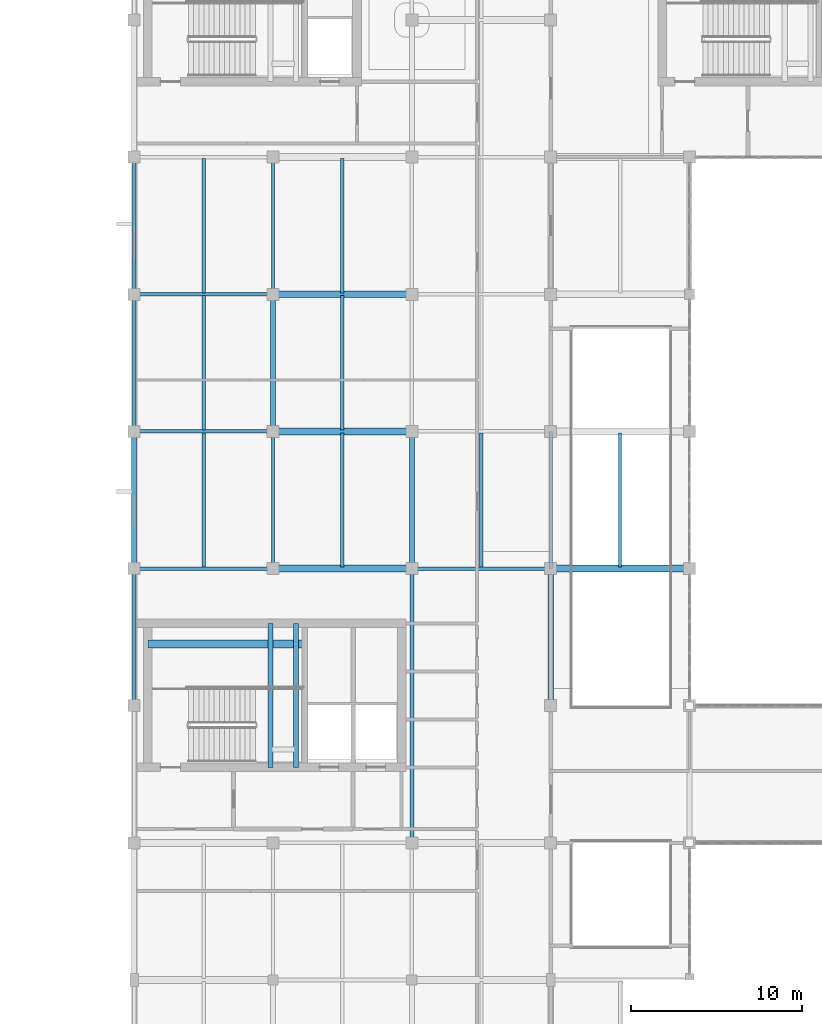
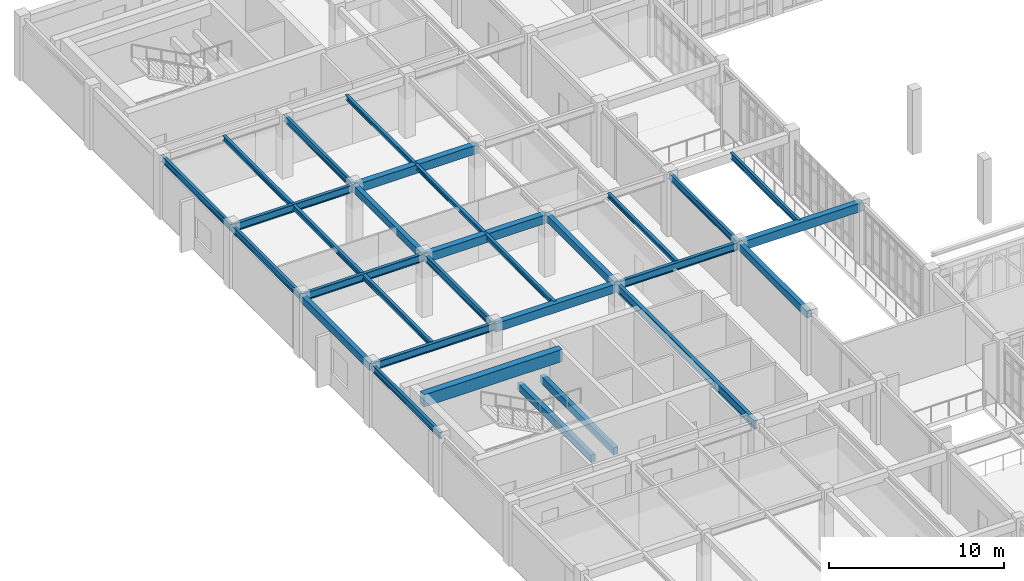
# One storey, part 10 of 67: 30 beams.
"""IFC4 building model written with IfcOpenShell, lengths in metres."""

from ifc_helpers import new_model, si_unit, direction, frame, origin, origin_2d, place, context, subcontext, project, spatial, rectangle, i_section, extrude, material, material_profile, profile_set, type_object, element, save


model = new_model("IFC4")

# Units and contexts
model_context = context("Model", 3, precision=1e-05, world=origin(), true_north=direction((0.0, 1.0)))
body_context = subcontext(model_context, "Body", "Model", "MODEL_VIEW")
ifc_project = project(units=[si_unit("LENGTHUNIT", "METRE"), si_unit("AREAUNIT", "SQUARE_METRE"), si_unit("VOLUMEUNIT", "CUBIC_METRE"), si_unit("PLANEANGLEUNIT", "RADIAN"), si_unit("MASSUNIT", "GRAM", prefix="KILO")], contexts=[model_context])

# Site, building, storey
site_placement = place(None, origin())
site = spatial("IfcSite", under=ifc_project, at=site_placement, CompositionType="ELEMENT")
building_placement = place(site_placement, origin())
building = spatial("IfcBuilding", under=site, at=building_placement, Name="Tarnveldt Square Police Headquarters", CompositionType="ELEMENT")
storey_placement = place(building_placement, frame((0.0, 0.0, 10.199951171875)))
storey = spatial("IfcBuildingStorey", under=building, at=storey_placement, Name="L02", CompositionType="ELEMENT", Elevation=10.199951171875)

# Beams
ifc_material_1 = material(Name="Concrete 50 MPa", Category="concrete")
ifc_material_profile_1 = material_profile(ifc_material_1, rectangle(XDim=0.449951171875, YDim=0.85009765625, at=origin_2d()), Name="RC-CB450x850")
ifc_profile_set_1 = profile_set([ifc_material_profile_1], Name="Concrete 50 MPa")
beam_type_1 = type_object("IfcBeamType", Name="BM-CB450x850", PredefinedType="BEAM", material=ifc_profile_set_1)
beam_1_placement = place(storey_placement, frame((17.0, 67.60009765625, 4.074951171875), z_axis=(1.0, 0.0, 0.0), x_axis=(0.0, 1.0, 0.0)))
element("IfcBeam", 1, at=beam_1_placement, inside=storey, type_object=beam_type_1, Name="Core K1 South-West Command and Firefighting Core L02 Ductile Coupling Beam", PredefinedType="BEAM", context=body_context, shape_type="SweptSolid", body=[
    extrude(rectangle(XDim=0.449951171875, YDim=0.85009765625, at=origin_2d()), origin(), (0.0, 0.0, 1.0), 9.14990234375),
])
ifc_material_2 = material(Name="Concrete 40 MPa", Category="concrete")
ifc_material_profile_2 = material_profile(ifc_material_2, rectangle(XDim=0.300048828125, YDim=0.5, at=origin_2d()), Name="RC-B300x500")
ifc_profile_set_2 = profile_set([ifc_material_profile_2], Name="Concrete 40 MPa")
beam_type_2 = type_object("IfcBeamType", Name="BM-RC300x500", PredefinedType="BEAM", material=ifc_profile_set_2)
for number, where, z_axis, x_axis, name in (
    (2, (24.14990234375, 60.39990234375, 1.800048828125), (0.0, 1.0, 0.0), (-1.0, 0.0, 0.0), "ST1 L02 Half-Landing Support Beam 1"),
    (3, (25.64990234375, 60.39990234375, 1.800048828125), (0.0, 1.0, 0.0), (-1.0, 0.0, 0.0), "ST1 L02 Half-Landing Transverse Support Beam"),
):
    element("IfcBeam", number, at=place(storey_placement, frame(where, z_axis=z_axis, x_axis=x_axis)), inside=storey, type_object=beam_type_2, Name=name, PredefinedType="BEAM", context=body_context, shape_type="SweptSolid", body=[
        extrude(rectangle(XDim=0.300048828125, YDim=0.5, at=origin_2d()), origin(), (0.0, 0.0, 1.0), 8.400146484375),
    ])
for number, where, z_axis, x_axis, name in (
    (4, (16.199951171875, 72.0, 3.989990234375), (0.0, 1.0, 0.0), (-1.0, 0.0, 0.0), "L03 Grid Girder Y-0745"),
    (5, (24.300048828125, 80.0, 3.989990234375), (0.0, 1.0, 0.0), (-1.0, 0.0, 0.0), "L03 Grid Girder Y-0754"),
    (6, (32.39990234375, 72.0, 3.989990234375), (0.0, 1.0, 0.0), (-1.0, 0.0, 0.0), "L03 Grid Girder Y-0760"),
    (7, (40.5, 64.0, 3.989990234375), (0.0, 1.0, 0.0), (-1.0, 0.0, 0.0), "L03 Grid Girder Y-0769"),
):
    element("IfcBeam", number, at=place(storey_placement, frame(where, z_axis=z_axis, x_axis=x_axis)), inside=storey, type_object=beam_type_2, Name=name, PredefinedType="BEAM", context=body_context, shape_type="SweptSolid", body=[
        extrude(rectangle(XDim=0.300048828125, YDim=0.5, at=origin_2d()), origin(), (0.0, 0.0, 1.0), 8.0),
    ])
ifc_material_profile_3 = material_profile(ifc_material_2, rectangle(XDim=0.39990234375, YDim=0.60009765625, at=origin_2d()), Name="RC-B400x600")
ifc_profile_set_3 = profile_set([ifc_material_profile_3], Name="Concrete 40 MPa")
beam_type_3 = type_object("IfcBeamType", Name="BM-RC400x600", PredefinedType="BEAM", material=ifc_profile_set_3)
beam_2_placement = place(storey_placement, frame((24.300048828125, 72.0, 3.93994140625), z_axis=(1.0, 0.0, 0.0), x_axis=(0.0, 1.0, 0.0)))
element("IfcBeam", 8, at=beam_2_placement, inside=storey, type_object=beam_type_3, Name="L03 Grid Girder X-0692", PredefinedType="BEAM", context=body_context, shape_type="SweptSolid", body=[
    extrude(rectangle(XDim=0.39990234375, YDim=0.60009765625, at=origin_2d()), origin(), (0.0, 0.0, 1.0), 8.099853515625),
])
beam_3_placement = place(storey_placement, frame((40.5, 72.0, 3.93994140625), z_axis=(1.0, 0.0, 0.0), x_axis=(0.0, 1.0, 0.0)))
element("IfcBeam", 9, at=beam_3_placement, inside=storey, type_object=beam_type_3, Name="L03 Grid Girder X-0694", PredefinedType="BEAM", context=body_context, shape_type="SweptSolid", body=[
    extrude(rectangle(XDim=0.39990234375, YDim=0.60009765625, at=origin_2d()), origin(), (0.0, 0.0, 1.0), 8.10009765625),
])
for number, where, z_axis, x_axis, name in (
    (10, (24.300048828125, 80.0, 3.93994140625), (1.0, 0.0, 0.0), (0.0, 1.0, 0.0), "L03 Grid Girder X-0698"),
    (11, (24.300048828125, 88.0, 3.93994140625), (1.0, 0.0, 0.0), (0.0, 1.0, 0.0), "L03 Grid Girder X-0704"),
):
    element("IfcBeam", number, at=place(storey_placement, frame(where, z_axis=z_axis, x_axis=x_axis)), inside=storey, type_object=beam_type_3, Name=name, PredefinedType="BEAM", context=body_context, shape_type="SweptSolid", body=[
        extrude(rectangle(XDim=0.39990234375, YDim=0.60009765625, at=origin_2d()), origin(), (0.0, 0.0, 1.0), 8.099853515625),
    ])
ifc_material_3 = material(Name="Steel 350W", Category="steel")
ifc_material_profile_4 = material_profile(ifc_material_3, i_section(OverallWidth=0.202880859375, OverallDepth=0.302978515625, WebThickness=0.007568359375, FlangeThickness=0.01318359375, FilletRadius=0.014892578125, at=origin_2d()), Name="W310x60")
ifc_profile_set_4 = profile_set([ifc_material_profile_4], Name="Steel 350W")
beam_type_4 = type_object("IfcBeamType", Name="BM-W310x60", PredefinedType="JOIST", material=ifc_profile_set_4)
for number, where, z_axis, x_axis, name in (
    (12, (36.449951171875, 72.080078125, 4.088623046875), (0.0, 1.0, 0.0), (-1.0, 0.0, 0.0), "L03 Secondary Floor Joist 0156"),
    (13, (28.35009765625, 80.080078125, 4.088623046875), (0.0, 1.0, 0.0), (-1.0, 0.0, 0.0), "L03 Secondary Floor Joist 0160"),
    (14, (28.35009765625, 88.080078125, 4.088623046875), (0.0, 1.0, 0.0), (-1.0, 0.0, 0.0), "L03 Secondary Floor Joist 0164"),
):
    element("IfcBeam", number, at=place(storey_placement, frame(where, z_axis=z_axis, x_axis=x_axis)), inside=storey, type_object=beam_type_4, Name=name, PredefinedType="JOIST", context=body_context, shape_type="SweptSolid", body=[
        extrude(i_section(OverallWidth=0.202880859375, OverallDepth=0.302978515625, WebThickness=0.007568359375, FlangeThickness=0.01318359375, FilletRadius=0.014892578125, at=origin_2d()), origin(), (0.0, 0.0, 1.0), 7.83984375),
    ])
ifc_material_profile_5 = material_profile(ifc_material_3, i_section(OverallWidth=0.202880859375, OverallDepth=0.346923828125, WebThickness=0.0078125, FlangeThickness=0.013427734375, FilletRadius=0.01611328125, at=origin_2d()), Name="W360x64")
ifc_profile_set_5 = profile_set([ifc_material_profile_5], Name="Steel 350W")
beam_type_5 = type_object("IfcBeamType", Name="BM-W360x64", PredefinedType="JOIST", material=ifc_profile_set_5)
for number, where, z_axis, x_axis, name in (
    (15, (28.35009765625, 72.080078125, 4.066650390625), (0.0, 1.0, 0.0), (-1.0, 0.0, 0.0), "L03 Secondary Floor Joist 0155"),
    (16, (20.25, 80.080078125, 4.066650390625), (0.0, 1.0, 0.0), (-1.0, 0.0, 0.0), "L03 Secondary Floor Joist 0159"),
    (17, (20.25, 88.080078125, 4.066650390625), (0.0, 1.0, 0.0), (-1.0, 0.0, 0.0), "L03 Secondary Floor Joist 0163"),
):
    element("IfcBeam", number, at=place(storey_placement, frame(where, z_axis=z_axis, x_axis=x_axis)), inside=storey, type_object=beam_type_5, Name=name, PredefinedType="JOIST", context=body_context, shape_type="SweptSolid", body=[
        extrude(i_section(OverallWidth=0.202880859375, OverallDepth=0.346923828125, WebThickness=0.0078125, FlangeThickness=0.013427734375, FilletRadius=0.01611328125, at=origin_2d()), origin(), (0.0, 0.0, 1.0), 7.83984375),
    ])
ifc_material_profile_6 = material_profile(ifc_material_3, i_section(OverallWidth=0.205078125, OverallDepth=0.35400390625, WebThickness=0.009521484375, FlangeThickness=0.016845703125, FilletRadius=0.01611328125, at=origin_2d()), Name="W360x79")
ifc_profile_set_6 = profile_set([ifc_material_profile_6], Name="Steel 350W")
beam_type_6 = type_object("IfcBeamType", Name="BM-W360x79", PredefinedType="JOIST", material=ifc_profile_set_6)
beam_4_placement = place(storey_placement, frame((20.25, 72.080078125, 4.06298828125), z_axis=(0.0, 1.0, 0.0), x_axis=(-1.0, 0.0, 0.0)))
element("IfcBeam", 18, at=beam_4_placement, inside=storey, type_object=beam_type_6, Name="L03 Secondary Floor Joist 0154", PredefinedType="JOIST", context=body_context, shape_type="SweptSolid", body=[
    extrude(i_section(OverallWidth=0.205078125, OverallDepth=0.35400390625, WebThickness=0.009521484375, FlangeThickness=0.016845703125, FilletRadius=0.01611328125, at=origin_2d()), origin(), (0.0, 0.0, 1.0), 7.83984375),
])
ifc_material_profile_7 = material_profile(ifc_material_3, i_section(OverallWidth=0.177978515625, OverallDepth=0.406982421875, WebThickness=0.0078125, FlangeThickness=0.0126953125, FilletRadius=0.01611328125, at=origin_2d()), Name="W410x60")
ifc_profile_set_7 = profile_set([ifc_material_profile_7], Name="Steel 350W")
beam_type_7 = type_object("IfcBeamType", Name="BM-W410x60", PredefinedType="JOIST", material=ifc_profile_set_7)
beam_5_placement = place(storey_placement, frame((44.550048828125, 72.080078125, 4.03662109375), z_axis=(0.0, 1.0, 0.0), x_axis=(-1.0, 0.0, 0.0)))
element("IfcBeam", 19, at=beam_5_placement, inside=storey, type_object=beam_type_7, Name="L03 Secondary Floor Joist 0157", PredefinedType="JOIST", context=body_context, shape_type="SweptSolid", body=[
    extrude(i_section(OverallWidth=0.177978515625, OverallDepth=0.406982421875, WebThickness=0.0078125, FlangeThickness=0.0126953125, FilletRadius=0.01611328125, at=origin_2d()), origin(), (0.0, 0.0, 1.0), 7.83984375),
])
ifc_material_profile_8 = material_profile(ifc_material_3, i_section(OverallWidth=0.19189453125, OverallDepth=0.462890625, WebThickness=0.010498046875, FlangeThickness=0.017578125, FilletRadius=0.01806640625, at=origin_2d()), Name="W460x89")
ifc_profile_set_8 = profile_set([ifc_material_profile_8], Name="Steel 350W")
beam_type_8 = type_object("IfcBeamType", Name="BM-W460x89", PredefinedType="BEAM", material=ifc_profile_set_8)
for number, where, z_axis, x_axis, name in (
    (20, (16.199951171875, 64.0, 4.008544921875), (0.0, 1.0, 0.0), (-1.0, 0.0, 0.0), "L03 Grid Girder Y-0744"),
    (21, (16.199951171875, 80.0, 4.008544921875), (0.0, 1.0, 0.0), (-1.0, 0.0, 0.0), "L03 Grid Girder Y-0746"),
    (22, (16.199951171875, 88.0, 4.008544921875), (0.0, 1.0, 0.0), (-1.0, 0.0, 0.0), "L03 Grid Girder Y-0747"),
    (23, (24.300048828125, 72.0, 4.008544921875), (0.0, 1.0, 0.0), (-1.0, 0.0, 0.0), "L03 Grid Girder Y-0753"),
    (24, (24.300048828125, 88.0, 4.008544921875), (0.0, 1.0, 0.0), (-1.0, 0.0, 0.0), "L03 Grid Girder Y-0755"),
    (25, (40.5, 72.0, 4.008544921875), (0.0, 1.0, 0.0), (-1.0, 0.0, 0.0), "L03 Grid Girder Y-0770"),
):
    element("IfcBeam", number, at=place(storey_placement, frame(where, z_axis=z_axis, x_axis=x_axis)), inside=storey, type_object=beam_type_8, Name=name, PredefinedType="BEAM", context=body_context, shape_type="SweptSolid", body=[
        extrude(i_section(OverallWidth=0.19189453125, OverallDepth=0.462890625, WebThickness=0.010498046875, FlangeThickness=0.017578125, FilletRadius=0.01806640625, at=origin_2d()), origin(), (0.0, 0.0, 1.0), 8.0),
    ])
ifc_material_profile_9 = material_profile(ifc_material_3, i_section(OverallWidth=0.208984375, OverallDepth=0.532958984375, WebThickness=0.01025390625, FlangeThickness=0.015625, FilletRadius=0.01904296875, at=origin_2d()), Name="W530x92")
ifc_profile_set_9 = profile_set([ifc_material_profile_9], Name="Steel 350W")
beam_type_9 = type_object("IfcBeamType", Name="BM-W530x92", PredefinedType="BEAM", material=ifc_profile_set_9)
for number, where, z_axis, x_axis, name in (
    (26, (16.199951171875, 72.0, 3.9736328125), (1.0, 0.0, 0.0), (0.0, 1.0, 0.0), "L03 Grid Girder X-0691"),
    (27, (32.39990234375, 72.0, 3.9736328125), (1.0, 0.0, 0.0), (0.0, 1.0, 0.0), "L03 Grid Girder X-0693"),
    (28, (16.199951171875, 80.0, 3.9736328125), (1.0, 0.0, 0.0), (0.0, 1.0, 0.0), "L03 Grid Girder X-0697"),
    (29, (16.199951171875, 88.0, 3.9736328125), (1.0, 0.0, 0.0), (0.0, 1.0, 0.0), "L03 Grid Girder X-0703"),
):
    element("IfcBeam", number, at=place(storey_placement, frame(where, z_axis=z_axis, x_axis=x_axis)), inside=storey, type_object=beam_type_9, Name=name, PredefinedType="BEAM", context=body_context, shape_type="SweptSolid", body=[
        extrude(i_section(OverallWidth=0.208984375, OverallDepth=0.532958984375, WebThickness=0.01025390625, FlangeThickness=0.015625, FilletRadius=0.01904296875, at=origin_2d()), origin(), (0.0, 0.0, 1.0), 8.10009765625),
    ])
ifc_material_profile_10 = material_profile(ifc_material_3, i_section(OverallWidth=0.22900390625, OverallDepth=0.612060546875, WebThickness=0.011962890625, FlangeThickness=0.01953125, FilletRadius=0.01904296875, at=origin_2d()), Name="W610x125")
ifc_profile_set_10 = profile_set([ifc_material_profile_10], Name="Steel 350W")
beam_type_10 = type_object("IfcBeamType", Name="BM-W610x125", PredefinedType="BEAM", material=ifc_profile_set_10)
beam_6_placement = place(storey_placement, frame((32.39990234375, 56.0, 3.93408203125), z_axis=(0.0, 1.0, 0.0), x_axis=(-1.0, 0.0, 0.0)))
element("IfcBeam", 30, at=beam_6_placement, inside=storey, type_object=beam_type_10, Name="L03 Grid Girder Y-0759", PredefinedType="BEAM", context=body_context, shape_type="SweptSolid", body=[
    extrude(i_section(OverallWidth=0.22900390625, OverallDepth=0.612060546875, WebThickness=0.011962890625, FlangeThickness=0.01953125, FilletRadius=0.01904296875, at=origin_2d()), origin(), (0.0, 0.0, 1.0), 16.0),
])

save(model, "model.ifc")
